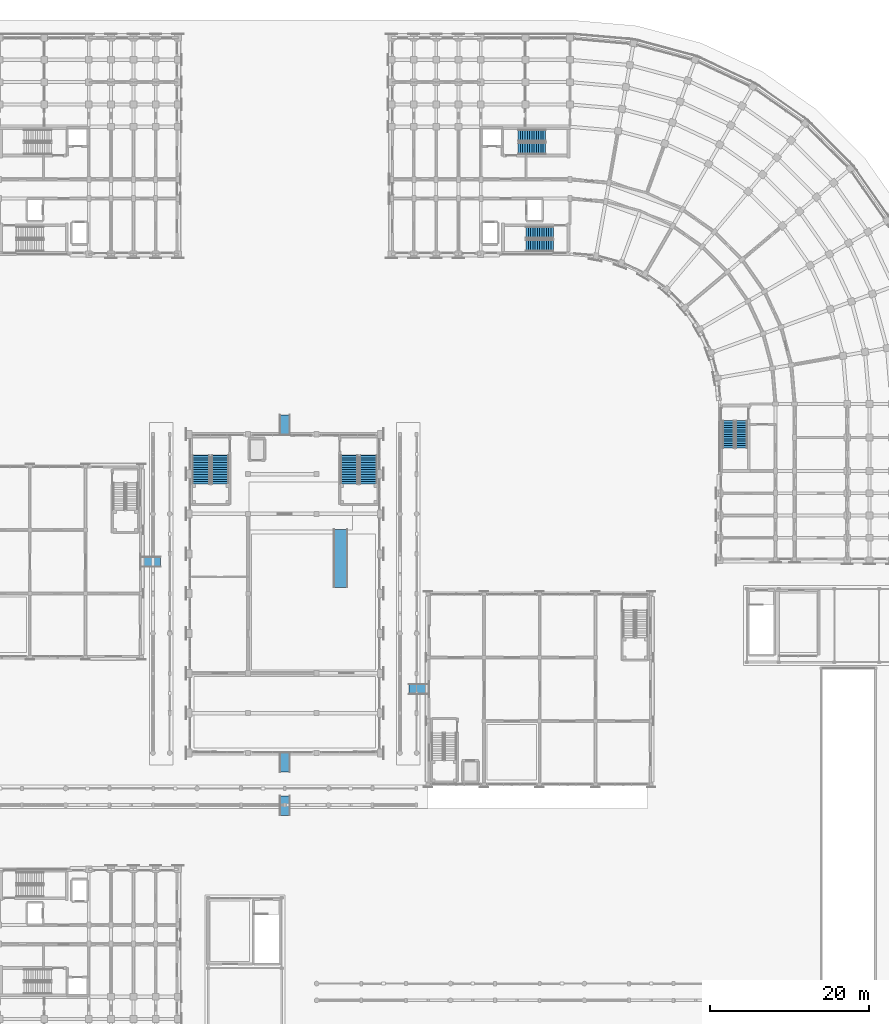
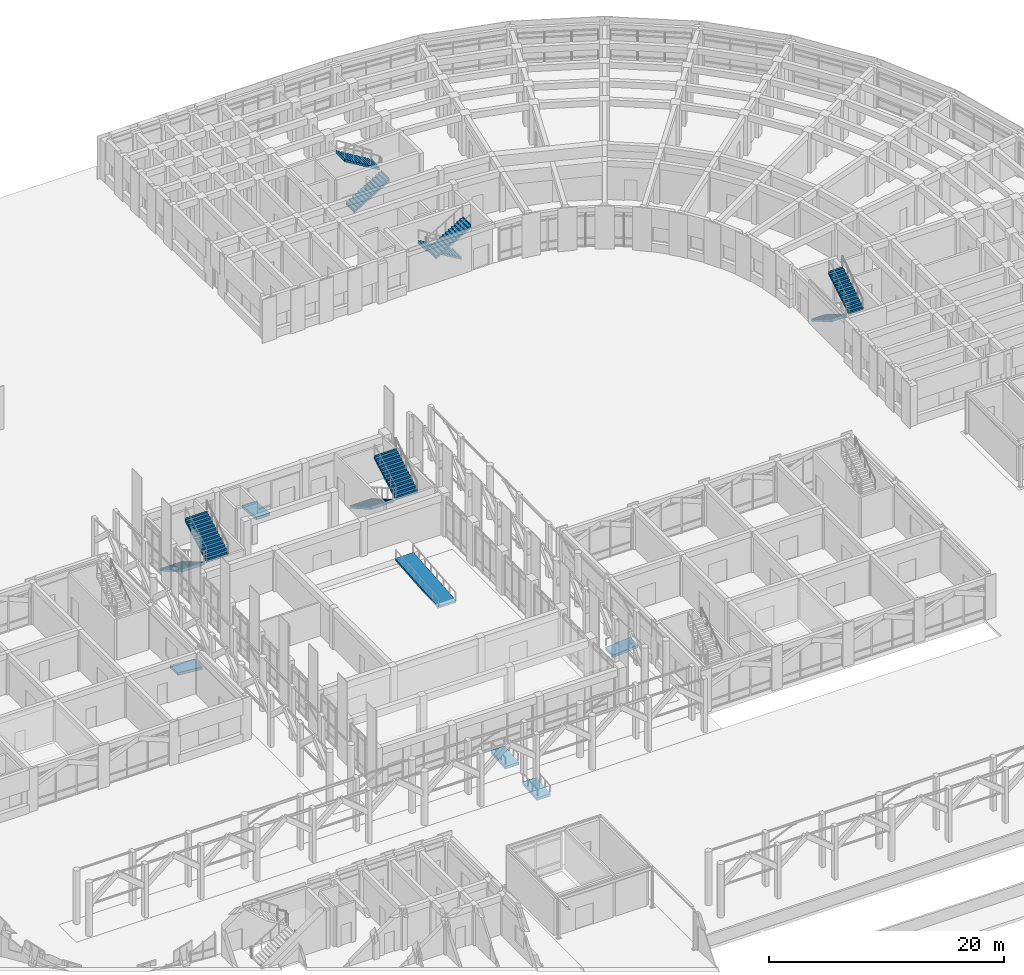
# One storey, part 113 of 135: 10 stair flights, 6 ramp flights, 11 elements without a shape of their own.
"""IFC4 building model written with IfcOpenShell, lengths in metres."""

from ifc_helpers import new_model, si_unit, direction, frame, origin, place, context, subcontext, project, spatial, polyline, outline, extrude, material, layer, layer_set, type_object, element, aggregate, save


model = new_model("IFC4")

# Units and contexts
model_context = context("Model", 3, precision=1e-05, world=origin(), true_north=direction((0.0, 1.0)))
body_context = subcontext(model_context, "Body", "Model", "MODEL_VIEW")
ifc_project = project(units=[si_unit("LENGTHUNIT", "METRE"), si_unit("AREAUNIT", "SQUARE_METRE"), si_unit("VOLUMEUNIT", "CUBIC_METRE"), si_unit("PLANEANGLEUNIT", "RADIAN"), si_unit("MASSUNIT", "GRAM", prefix="KILO")], contexts=[model_context])

# Site, building, storey
site_placement = place(None, origin())
site = spatial("IfcSite", under=ifc_project, at=site_placement, CompositionType="ELEMENT")
building_placement = place(site_placement, origin())
building = spatial("IfcBuilding", under=site, at=building_placement, Name="Kiranvali Square Residences", CompositionType="ELEMENT")
storey_placement = place(building_placement, origin())
storey = spatial("IfcBuildingStorey", under=building, at=storey_placement, Name="L00", CompositionType="ELEMENT", Elevation=0.0)

# Stair, stair flights
ifc_material = material(Name="Concrete M35 (35 MPa)", Category="concrete")
stair_type_1 = type_object("IfcStairType", Name="ST-CORE-1700", PredefinedType="HALF_TURN_STAIR", material=ifc_material)
stair_1_placement = place(storey_placement, origin())
stair_1 = element("IfcStair", 1, at=stair_1_placement, inside=storey, type_object=stair_type_1, Name="L00 Block B Firefighting Exit Stair 1", PredefinedType="HALF_TURN_STAIR")
stair_flight_type_1 = type_object("IfcStairFlightType", Name="STF-1700", PredefinedType="STRAIGHT", material=ifc_material)
stair_flight_1_placement = place(storey_placement, frame((113.300048828125, 119.875, 0.0), z_axis=(0.0, 0.0, 1.0), x_axis=(1.0, 0.0, 0.0)))
stair_flight_1 = element("IfcStairFlight", 2, at=stair_flight_1_placement, type_object=stair_flight_type_1, Name="ST-B1 flight 1", NumberOfRisers=13, NumberOfTreads=12, PredefinedType="STRAIGHT", RiserHeight=0.173076923, TreadLength=0.285, context=body_context, shape_type="SweptSolid", body=[
    extrude(outline(polyline([(-0.02001953125, -0.14990234375), (-0.02001953125, 0.0), (0.0, 0.0), (0.0, 0.173095703125), (0.284912109375, 0.173095703125), (0.284912109375, 0.34619140625), (0.570068359375, 0.34619140625), (0.570068359375, 0.519287109375), (0.85498046875, 0.519287109375), (0.85498046875, 0.6923828125), (1.139892578125, 0.6923828125), (1.139892578125, 0.865478515625), (1.425048828125, 0.865478515625), (1.425048828125, 1.03857421875), (1.7099609375, 1.03857421875), (1.7099609375, 1.21142578125), (1.9951171875, 1.21142578125), (1.9951171875, 1.384521484375), (2.280029296875, 1.384521484375), (2.280029296875, 1.5576171875), (2.56494140625, 1.5576171875), (2.56494140625, 1.730712890625), (2.85009765625, 1.730712890625), (2.85009765625, 1.90380859375), (3.135009765625, 1.90380859375), (3.135009765625, 2.076904296875), (3.419921875, 2.076904296875), (3.419921875, 2.25), (3.43994140625, 2.25), (3.43994140625, 1.901611328125), (3.419921875, 1.901611328125), (0.0, -0.14990234375), (-0.02001953125, -0.14990234375)])), frame((0.0, 0.72509765625, 0.0), z_axis=(0.0, -1.0, 0.0), x_axis=(1.0, 0.0, 0.0)), (0.0, 0.0, 1.0), 1.449951171875),
])
stair_flight_2_placement = place(storey_placement, frame((116.719970703125, 121.52490234375, 2.25), z_axis=(0.0, 0.0, 1.0), x_axis=(-1.0, 0.0, 0.0)))
stair_flight_2 = element("IfcStairFlight", 3, at=stair_flight_2_placement, type_object=stair_flight_type_1, Name="ST-B1 flight 2", NumberOfRisers=13, NumberOfTreads=12, PredefinedType="STRAIGHT", RiserHeight=0.173076923, TreadLength=0.285, context=body_context, shape_type="SweptSolid", body=[
    extrude(outline(polyline([(-0.02001953125, -0.14990234375), (-0.02001953125, 0.0), (0.0, 0.0), (0.0, 0.173095703125), (0.284912109375, 0.173095703125), (0.284912109375, 0.34619140625), (0.570068359375, 0.34619140625), (0.570068359375, 0.519287109375), (0.85498046875, 0.519287109375), (0.85498046875, 0.6923828125), (1.139892578125, 0.6923828125), (1.139892578125, 0.865478515625), (1.425048828125, 0.865478515625), (1.425048828125, 1.03857421875), (1.7099609375, 1.03857421875), (1.7099609375, 1.21142578125), (1.9951171875, 1.21142578125), (1.9951171875, 1.384521484375), (2.280029296875, 1.384521484375), (2.280029296875, 1.5576171875), (2.56494140625, 1.5576171875), (2.56494140625, 1.730712890625), (2.85009765625, 1.730712890625), (2.85009765625, 1.90380859375), (3.135009765625, 1.90380859375), (3.135009765625, 2.076904296875), (3.419921875, 2.076904296875), (3.419921875, 2.25), (3.43994140625, 2.25), (3.43994140625, 1.901611328125), (3.419921875, 1.901611328125), (0.0, -0.14990234375), (-0.02001953125, -0.14990234375)])), frame((0.0, 0.72509765625, 0.0), z_axis=(0.0, -1.0, 0.0), x_axis=(1.0, 0.0, 0.0)), (0.0, 0.0, 1.0), 1.449951171875),
])
aggregate(stair_1, [stair_flight_1, stair_flight_2])

stair_2_placement = place(storey_placement, origin())
stair_2 = element("IfcStair", 4, at=stair_2_placement, inside=storey, type_object=stair_type_1, Name="L00 Block B Protected Exit Stair 2", PredefinedType="HALF_TURN_STAIR")
stair_flight_3_placement = place(storey_placement, frame((117.699951171875, 109.324951171875, 0.0), z_axis=(0.0, 0.0, 1.0), x_axis=(-1.0, 0.0, 0.0)))
stair_flight_3 = element("IfcStairFlight", 5, at=stair_flight_3_placement, type_object=stair_flight_type_1, Name="ST-B2 flight 1", NumberOfRisers=13, NumberOfTreads=12, PredefinedType="STRAIGHT", RiserHeight=0.173076923, TreadLength=0.285, context=body_context, shape_type="SweptSolid", body=[
    extrude(outline(polyline([(-0.02001953125, -0.14990234375), (-0.02001953125, 0.0), (0.0, 0.0), (0.0, 0.173095703125), (0.284912109375, 0.173095703125), (0.284912109375, 0.34619140625), (0.570068359375, 0.34619140625), (0.570068359375, 0.519287109375), (0.85498046875, 0.519287109375), (0.85498046875, 0.6923828125), (1.139892578125, 0.6923828125), (1.139892578125, 0.865478515625), (1.425048828125, 0.865478515625), (1.425048828125, 1.03857421875), (1.7099609375, 1.03857421875), (1.7099609375, 1.21142578125), (1.9951171875, 1.21142578125), (1.9951171875, 1.384521484375), (2.280029296875, 1.384521484375), (2.280029296875, 1.5576171875), (2.56494140625, 1.5576171875), (2.56494140625, 1.730712890625), (2.85009765625, 1.730712890625), (2.85009765625, 1.90380859375), (3.135009765625, 1.90380859375), (3.135009765625, 2.076904296875), (3.419921875, 2.076904296875), (3.419921875, 2.25), (3.43994140625, 2.25), (3.43994140625, 1.901611328125), (3.419921875, 1.901611328125), (0.0, -0.14990234375), (-0.02001953125, -0.14990234375)])), frame((0.0, 0.72509765625, 0.0), z_axis=(0.0, -1.0, 0.0), x_axis=(1.0, 0.0, 0.0)), (0.0, 0.0, 1.0), 1.449951171875),
])
stair_flight_4_placement = place(storey_placement, frame((114.280029296875, 107.675048828125, 2.25), z_axis=(0.0, 0.0, 1.0), x_axis=(1.0, 0.0, 0.0)))
stair_flight_4 = element("IfcStairFlight", 6, at=stair_flight_4_placement, type_object=stair_flight_type_1, Name="ST-B2 flight 2", NumberOfRisers=13, NumberOfTreads=12, PredefinedType="STRAIGHT", RiserHeight=0.173076923, TreadLength=0.285, context=body_context, shape_type="SweptSolid", body=[
    extrude(outline(polyline([(-0.02001953125, -0.14990234375), (-0.02001953125, 0.0), (0.0, 0.0), (0.0, 0.173095703125), (0.284912109375, 0.173095703125), (0.284912109375, 0.34619140625), (0.570068359375, 0.34619140625), (0.570068359375, 0.519287109375), (0.85498046875, 0.519287109375), (0.85498046875, 0.6923828125), (1.139892578125, 0.6923828125), (1.139892578125, 0.865478515625), (1.425048828125, 0.865478515625), (1.425048828125, 1.03857421875), (1.7099609375, 1.03857421875), (1.7099609375, 1.21142578125), (1.9951171875, 1.21142578125), (1.9951171875, 1.384521484375), (2.280029296875, 1.384521484375), (2.280029296875, 1.5576171875), (2.56494140625, 1.5576171875), (2.56494140625, 1.730712890625), (2.85009765625, 1.730712890625), (2.85009765625, 1.90380859375), (3.135009765625, 1.90380859375), (3.135009765625, 2.076904296875), (3.419921875, 2.076904296875), (3.419921875, 2.25), (3.43994140625, 2.25), (3.43994140625, 1.901611328125), (3.419921875, 1.901611328125), (0.0, -0.14990234375), (-0.02001953125, -0.14990234375)])), frame((0.0, 0.72509765625, 0.0), z_axis=(0.0, -1.0, 0.0), x_axis=(1.0, 0.0, 0.0)), (0.0, 0.0, 1.0), 1.449951171875),
])
aggregate(stair_2, [stair_flight_3, stair_flight_4])

stair_3_placement = place(storey_placement, origin())
stair_3 = element("IfcStair", 7, at=stair_3_placement, inside=storey, type_object=stair_type_1, Name="L00 Block B Wing Protected Exit Stair 3", PredefinedType="HALF_TURN_STAIR")
stair_flight_5_placement = place(storey_placement, frame((139.675048828125, 85.699951171875, 0.0), z_axis=(0.0, 0.0, 1.0), x_axis=(0.0, -1.0, 0.0)))
stair_flight_5 = element("IfcStairFlight", 8, at=stair_flight_5_placement, type_object=stair_flight_type_1, Name="ST-B3 flight 1", NumberOfRisers=13, NumberOfTreads=12, PredefinedType="STRAIGHT", RiserHeight=0.173076923, TreadLength=0.285, context=body_context, shape_type="SweptSolid", body=[
    extrude(outline(polyline([(-0.02001953125, -0.14990234375), (-0.02001953125, 0.0), (0.0, 0.0), (0.0, 0.173095703125), (0.284912109375, 0.173095703125), (0.284912109375, 0.34619140625), (0.570068359375, 0.34619140625), (0.570068359375, 0.519287109375), (0.85498046875, 0.519287109375), (0.85498046875, 0.6923828125), (1.139892578125, 0.6923828125), (1.139892578125, 0.865478515625), (1.425048828125, 0.865478515625), (1.425048828125, 1.03857421875), (1.7099609375, 1.03857421875), (1.7099609375, 1.21142578125), (1.9951171875, 1.21142578125), (1.9951171875, 1.384521484375), (2.280029296875, 1.384521484375), (2.280029296875, 1.5576171875), (2.56494140625, 1.5576171875), (2.56494140625, 1.730712890625), (2.85009765625, 1.730712890625), (2.85009765625, 1.90380859375), (3.135009765625, 1.90380859375), (3.135009765625, 2.076904296875), (3.419921875, 2.076904296875), (3.419921875, 2.25), (3.43994140625, 2.25), (3.43994140625, 1.901611328125), (3.419921875, 1.901611328125), (0.0, -0.14990234375), (-0.02001953125, -0.14990234375)])), frame((0.0, 0.72509765625, 0.0), z_axis=(0.0, -1.0, 0.0), x_axis=(1.0, 0.0, 0.0)), (0.0, 0.0, 1.0), 1.449951171875),
])
stair_flight_6_placement = place(storey_placement, frame((141.324951171875, 82.280029296875, 2.25), z_axis=(0.0, 0.0, 1.0), x_axis=(0.0, 1.0, 0.0)))
stair_flight_6 = element("IfcStairFlight", 9, at=stair_flight_6_placement, type_object=stair_flight_type_1, Name="ST-B3 flight 2", NumberOfRisers=13, NumberOfTreads=12, PredefinedType="STRAIGHT", RiserHeight=0.173076923, TreadLength=0.285, context=body_context, shape_type="SweptSolid", body=[
    extrude(outline(polyline([(-0.02001953125, -0.14990234375), (-0.02001953125, 0.0), (0.0, 0.0), (0.0, 0.173095703125), (0.284912109375, 0.173095703125), (0.284912109375, 0.34619140625), (0.570068359375, 0.34619140625), (0.570068359375, 0.519287109375), (0.85498046875, 0.519287109375), (0.85498046875, 0.6923828125), (1.139892578125, 0.6923828125), (1.139892578125, 0.865478515625), (1.425048828125, 0.865478515625), (1.425048828125, 1.03857421875), (1.7099609375, 1.03857421875), (1.7099609375, 1.21142578125), (1.9951171875, 1.21142578125), (1.9951171875, 1.384521484375), (2.280029296875, 1.384521484375), (2.280029296875, 1.5576171875), (2.56494140625, 1.5576171875), (2.56494140625, 1.730712890625), (2.85009765625, 1.730712890625), (2.85009765625, 1.90380859375), (3.135009765625, 1.90380859375), (3.135009765625, 2.076904296875), (3.419921875, 2.076904296875), (3.419921875, 2.25), (3.43994140625, 2.25), (3.43994140625, 1.901611328125), (3.419921875, 1.901611328125), (0.0, -0.14990234375), (-0.02001953125, -0.14990234375)])), frame((0.0, 0.72509765625, 0.0), z_axis=(0.0, -1.0, 0.0), x_axis=(1.0, 0.0, 0.0)), (0.0, 0.0, 1.0), 1.449951171875),
])
aggregate(stair_3, [stair_flight_5, stair_flight_6])

stair_type_2 = type_object("IfcStairType", Name="ST-ASM-2200", PredefinedType="HALF_TURN_STAIR", material=ifc_material)
stair_4_placement = place(storey_placement, origin())
stair_4 = element("IfcStair", 10, at=stair_4_placement, inside=storey, type_object=stair_type_2, Name="L00 Community Hall Assembly Stair 1", PredefinedType="HALF_TURN_STAIR")
stair_flight_type_2 = type_object("IfcStairFlightType", Name="STF-2200", PredefinedType="STRAIGHT", material=ifc_material)
stair_flight_7_placement = place(storey_placement, frame((73.5, 81.35009765625, 0.0), z_axis=(0.0, 0.0, 1.0), x_axis=(0.0, -1.0, 0.0)))
stair_flight_7 = element("IfcStairFlight", 11, at=stair_flight_7_placement, type_object=stair_flight_type_2, Name="ST-CH1 flight 1", NumberOfRisers=13, NumberOfTreads=12, PredefinedType="STRAIGHT", RiserHeight=0.173076923, TreadLength=0.3, context=body_context, shape_type="SweptSolid", body=[
    extrude(outline(polyline([(-0.02001953125, -0.14990234375), (-0.02001953125, 0.0), (0.0, 0.0), (0.0, 0.173095703125), (0.300048828125, 0.173095703125), (0.300048828125, 0.34619140625), (0.60009765625, 0.34619140625), (0.60009765625, 0.519287109375), (0.89990234375, 0.519287109375), (0.89990234375, 0.6923828125), (1.199951171875, 0.6923828125), (1.199951171875, 0.865478515625), (1.5, 0.865478515625), (1.5, 1.03857421875), (1.800048828125, 1.03857421875), (1.800048828125, 1.21142578125), (2.10009765625, 1.21142578125), (2.10009765625, 1.384521484375), (2.39990234375, 1.384521484375), (2.39990234375, 1.5576171875), (2.699951171875, 1.5576171875), (2.699951171875, 1.730712890625), (3.0, 1.730712890625), (3.0, 1.90380859375), (3.300048828125, 1.90380859375), (3.300048828125, 2.076904296875), (3.60009765625, 2.076904296875), (3.60009765625, 2.25), (3.6201171875, 2.25), (3.6201171875, 1.90380859375), (3.60009765625, 1.90380859375), (0.0, -0.14990234375), (-0.02001953125, -0.14990234375)])), frame((0.0, 1.10009765625, 0.0), z_axis=(0.0, -1.0, 0.0), x_axis=(1.0, 0.0, 0.0)), (0.0, 0.0, 1.0), 2.199951171875),
])
stair_flight_8_placement = place(storey_placement, frame((75.89990234375, 77.75, 2.25), z_axis=(0.0, 0.0, 1.0), x_axis=(0.0, 1.0, 0.0)))
stair_flight_8 = element("IfcStairFlight", 12, at=stair_flight_8_placement, type_object=stair_flight_type_2, Name="ST-CH1 flight 2", NumberOfRisers=13, NumberOfTreads=12, PredefinedType="STRAIGHT", RiserHeight=0.173076923, TreadLength=0.3, context=body_context, shape_type="SweptSolid", body=[
    extrude(outline(polyline([(-0.02001953125, -0.14990234375), (-0.02001953125, 0.0), (0.0, 0.0), (0.0, 0.173095703125), (0.300048828125, 0.173095703125), (0.300048828125, 0.34619140625), (0.60009765625, 0.34619140625), (0.60009765625, 0.519287109375), (0.89990234375, 0.519287109375), (0.89990234375, 0.6923828125), (1.199951171875, 0.6923828125), (1.199951171875, 0.865478515625), (1.5, 0.865478515625), (1.5, 1.03857421875), (1.800048828125, 1.03857421875), (1.800048828125, 1.21142578125), (2.10009765625, 1.21142578125), (2.10009765625, 1.384521484375), (2.39990234375, 1.384521484375), (2.39990234375, 1.5576171875), (2.699951171875, 1.5576171875), (2.699951171875, 1.730712890625), (3.0, 1.730712890625), (3.0, 1.90380859375), (3.300048828125, 1.90380859375), (3.300048828125, 2.076904296875), (3.60009765625, 2.076904296875), (3.60009765625, 2.25), (3.6201171875, 2.25), (3.6201171875, 1.90380859375), (3.60009765625, 1.90380859375), (0.0, -0.14990234375), (-0.02001953125, -0.14990234375)])), frame((0.0, 1.10009765625, 0.0), z_axis=(0.0, -1.0, 0.0), x_axis=(1.0, 0.0, 0.0)), (0.0, 0.0, 1.0), 2.199951171875),
])
aggregate(stair_4, [stair_flight_7, stair_flight_8])

stair_5_placement = place(storey_placement, origin())
stair_5 = element("IfcStair", 13, at=stair_5_placement, inside=storey, type_object=stair_type_2, Name="L00 Community Hall Assembly Stair 2", PredefinedType="HALF_TURN_STAIR")
stair_flight_9_placement = place(storey_placement, frame((92.10009765625, 81.35009765625, 0.0), z_axis=(0.0, 0.0, 1.0), x_axis=(0.0, -1.0, 0.0)))
stair_flight_9 = element("IfcStairFlight", 14, at=stair_flight_9_placement, type_object=stair_flight_type_2, Name="ST-CH2 flight 1", NumberOfRisers=13, NumberOfTreads=12, PredefinedType="STRAIGHT", RiserHeight=0.173076923, TreadLength=0.3, context=body_context, shape_type="SweptSolid", body=[
    extrude(outline(polyline([(-0.02001953125, -0.14990234375), (-0.02001953125, 0.0), (0.0, 0.0), (0.0, 0.173095703125), (0.300048828125, 0.173095703125), (0.300048828125, 0.34619140625), (0.60009765625, 0.34619140625), (0.60009765625, 0.519287109375), (0.89990234375, 0.519287109375), (0.89990234375, 0.6923828125), (1.199951171875, 0.6923828125), (1.199951171875, 0.865478515625), (1.5, 0.865478515625), (1.5, 1.03857421875), (1.800048828125, 1.03857421875), (1.800048828125, 1.21142578125), (2.10009765625, 1.21142578125), (2.10009765625, 1.384521484375), (2.39990234375, 1.384521484375), (2.39990234375, 1.5576171875), (2.699951171875, 1.5576171875), (2.699951171875, 1.730712890625), (3.0, 1.730712890625), (3.0, 1.90380859375), (3.300048828125, 1.90380859375), (3.300048828125, 2.076904296875), (3.60009765625, 2.076904296875), (3.60009765625, 2.25), (3.6201171875, 2.25), (3.6201171875, 1.90380859375), (3.60009765625, 1.90380859375), (0.0, -0.14990234375), (-0.02001953125, -0.14990234375)])), frame((0.0, 1.10009765625, 0.0), z_axis=(0.0, -1.0, 0.0), x_axis=(1.0, 0.0, 0.0)), (0.0, 0.0, 1.0), 2.199951171875),
])
stair_flight_10_placement = place(storey_placement, frame((94.5, 77.75, 2.25), z_axis=(0.0, 0.0, 1.0), x_axis=(0.0, 1.0, 0.0)))
stair_flight_10 = element("IfcStairFlight", 15, at=stair_flight_10_placement, type_object=stair_flight_type_2, Name="ST-CH2 flight 2", NumberOfRisers=13, NumberOfTreads=12, PredefinedType="STRAIGHT", RiserHeight=0.173076923, TreadLength=0.3, context=body_context, shape_type="SweptSolid", body=[
    extrude(outline(polyline([(-0.02001953125, -0.14990234375), (-0.02001953125, 0.0), (0.0, 0.0), (0.0, 0.173095703125), (0.300048828125, 0.173095703125), (0.300048828125, 0.34619140625), (0.60009765625, 0.34619140625), (0.60009765625, 0.519287109375), (0.89990234375, 0.519287109375), (0.89990234375, 0.6923828125), (1.199951171875, 0.6923828125), (1.199951171875, 0.865478515625), (1.5, 0.865478515625), (1.5, 1.03857421875), (1.800048828125, 1.03857421875), (1.800048828125, 1.21142578125), (2.10009765625, 1.21142578125), (2.10009765625, 1.384521484375), (2.39990234375, 1.384521484375), (2.39990234375, 1.5576171875), (2.699951171875, 1.5576171875), (2.699951171875, 1.730712890625), (3.0, 1.730712890625), (3.0, 1.90380859375), (3.300048828125, 1.90380859375), (3.300048828125, 2.076904296875), (3.60009765625, 2.076904296875), (3.60009765625, 2.25), (3.6201171875, 2.25), (3.6201171875, 1.90380859375), (3.60009765625, 1.90380859375), (0.0, -0.14990234375), (-0.02001953125, -0.14990234375)])), frame((0.0, 1.10009765625, 0.0), z_axis=(0.0, -1.0, 0.0), x_axis=(1.0, 0.0, 0.0)), (0.0, 0.0, 1.0), 2.199951171875),
])
aggregate(stair_5, [stair_flight_9, stair_flight_10])

# Ramp, ramp flight
ramp_type_1 = type_object("IfcRampType", Name="RMP-EXT-1800", PredefinedType="STRAIGHT_RUN_RAMP", material=ifc_material)
ramp_1_placement = place(storey_placement, origin())
ramp_1 = element("IfcRamp", 16, at=ramp_1_placement, inside=storey, type_object=ramp_type_1, Name="South Civic Square Accessible Ramp", PredefinedType="STRAIGHT_RUN_RAMP")
ifc_layer_1 = layer(ifc_material, 0.280029296875)
ifc_layer_set_1 = layer_set([ifc_layer_1], Name="Concrete M35 (35 MPa)")
ramp_flight_type_1 = type_object("IfcRampFlightType", Name="RMPF-EXT-1800", PredefinedType="STRAIGHT", material=ifc_layer_set_1)
ramp_flight_1_placement = place(storey_placement, frame((84.0, 36.199951171875, -0.199951171875), z_axis=(0.0, 0.0, 1.0), x_axis=(0.0, 1.0, 0.0)))
ramp_flight_1 = element("IfcRampFlight", 17, at=ramp_flight_1_placement, type_object=ramp_flight_type_1, Name="South Civic Square Accessible Ramp flight", PredefinedType="STRAIGHT", context=body_context, shape_type="SweptSolid", body=[
    extrude(outline(polyline([(-0.02001953125, 0.0), (0.0, 0.0), (1.2001953125, 0.10009765625), (2.400146484375, 0.199951171875), (2.420166015625, 0.199951171875), (2.420166015625, -0.0810546875), (2.400146484375, -0.0810546875), (1.2001953125, -0.18115234375), (0.0, -0.281005859375), (-0.02001953125, -0.281005859375), (-0.02001953125, 0.0)])), frame((0.0, 0.675048828125, 0.0), z_axis=(0.0, -1.0, 0.0), x_axis=(1.0, 0.0, 0.0)), (0.0, 0.0, 1.0), 1.35009765625),
])
aggregate(ramp_1, [ramp_flight_1])

ramp_2_placement = place(storey_placement, origin())
ramp_2 = element("IfcRamp", 18, at=ramp_2_placement, inside=storey, type_object=ramp_type_1, Name="Nursery Courtyard Accessible Ramp", PredefinedType="STRAIGHT_RUN_RAMP")
ramp_flight_2_placement = place(storey_placement, frame((66.0, 68.0, 0.0), z_axis=(0.0, 0.0, 1.0), x_axis=(1.0, 0.0, 0.0)))
ramp_flight_2 = element("IfcRampFlight", 19, at=ramp_flight_2_placement, type_object=ramp_flight_type_1, Name="Nursery Courtyard Accessible Ramp flight", PredefinedType="STRAIGHT", context=body_context, shape_type="SweptSolid", body=[
    extrude(outline(polyline([(-0.02001953125, 0.0), (0.0, 0.0), (1.199951171875, -0.10009765625), (2.39990234375, -0.199951171875), (2.419921875, -0.199951171875), (2.419921875, -0.48095703125), (2.39990234375, -0.48095703125), (1.199951171875, -0.380859375), (0.0, -0.281005859375), (-0.02001953125, -0.281005859375), (-0.02001953125, 0.0)])), frame((0.0, 0.675048828125, 0.0), z_axis=(0.0, -1.0, 0.0), x_axis=(1.0, 0.0, 0.0)), (0.0, 0.0, 1.0), 1.35009765625),
])
aggregate(ramp_2, [ramp_flight_2])

ramp_3_placement = place(storey_placement, origin())
ramp_3 = element("IfcRamp", 20, at=ramp_3_placement, inside=storey, type_object=ramp_type_1, Name="Retail Courtyard Accessible Ramp", PredefinedType="STRAIGHT_RUN_RAMP")
ramp_flight_3_placement = place(storey_placement, frame((102.0, 52.0, 0.0), z_axis=(0.0, 0.0, 1.0), x_axis=(-1.0, 0.0, 0.0)))
ramp_flight_3 = element("IfcRampFlight", 21, at=ramp_flight_3_placement, type_object=ramp_flight_type_1, Name="Retail Courtyard Accessible Ramp flight", PredefinedType="STRAIGHT", context=body_context, shape_type="SweptSolid", body=[
    extrude(outline(polyline([(-0.02001953125, 0.0), (0.0, 0.0), (1.199951171875, -0.10009765625), (2.39990234375, -0.199951171875), (2.419921875, -0.199951171875), (2.419921875, -0.48095703125), (2.39990234375, -0.48095703125), (1.199951171875, -0.380859375), (0.0, -0.281005859375), (-0.02001953125, -0.281005859375), (-0.02001953125, 0.0)])), frame((0.0, 0.675048828125, 0.0), z_axis=(0.0, -1.0, 0.0), x_axis=(1.0, 0.0, 0.0)), (0.0, 0.0, 1.0), 1.35009765625),
])
aggregate(ramp_3, [ramp_flight_3])

ramp_4_placement = place(storey_placement, origin())
ramp_4 = element("IfcRamp", 22, at=ramp_4_placement, inside=storey, type_object=ramp_type_1, Name="Community Hall Forecourt Accessible Ramp", PredefinedType="STRAIGHT_RUN_RAMP")
ramp_flight_4_placement = place(storey_placement, frame((84.0, 41.60009765625, -0.199951171875), z_axis=(0.0, 0.0, 1.0), x_axis=(0.0, 1.0, 0.0)))
ramp_flight_4 = element("IfcRampFlight", 23, at=ramp_flight_4_placement, type_object=ramp_flight_type_1, Name="Community Hall Forecourt Accessible Ramp flight", PredefinedType="STRAIGHT", context=body_context, shape_type="SweptSolid", body=[
    extrude(outline(polyline([(-0.02001953125, 0.0), (0.0, 0.0), (1.199951171875, 0.10009765625), (2.39990234375, 0.199951171875), (2.419921875, 0.199951171875), (2.419921875, -0.0810546875), (2.39990234375, -0.0810546875), (1.199951171875, -0.18115234375), (0.0, -0.281005859375), (-0.02001953125, -0.281005859375), (-0.02001953125, 0.0)])), frame((0.0, 0.675048828125, 0.0), z_axis=(0.0, -1.0, 0.0), x_axis=(1.0, 0.0, 0.0)), (0.0, 0.0, 1.0), 1.35009765625),
])
aggregate(ramp_4, [ramp_flight_4])

ramp_5_placement = place(storey_placement, origin())
ramp_5 = element("IfcRamp", 24, at=ramp_5_placement, inside=storey, type_object=ramp_type_1, Name="North Shared Garden Accessible Ramp", PredefinedType="STRAIGHT_RUN_RAMP")
ramp_flight_5_placement = place(storey_placement, frame((84.0, 86.39990234375, -0.199951171875), z_axis=(0.0, 0.0, 1.0), x_axis=(0.0, -1.0, 0.0)))
ramp_flight_5 = element("IfcRampFlight", 25, at=ramp_flight_5_placement, type_object=ramp_flight_type_1, Name="North Shared Garden Accessible Ramp flight", PredefinedType="STRAIGHT", context=body_context, shape_type="SweptSolid", body=[
    extrude(outline(polyline([(-0.02001953125, 0.0), (0.0, 0.0), (1.199951171875, 0.10009765625), (2.39990234375, 0.199951171875), (2.419921875, 0.199951171875), (2.419921875, -0.0810546875), (2.39990234375, -0.0810546875), (1.199951171875, -0.18115234375), (0.0, -0.281005859375), (-0.02001953125, -0.281005859375), (-0.02001953125, 0.0)])), frame((0.0, 0.675048828125, 0.0), z_axis=(0.0, -1.0, 0.0), x_axis=(1.0, 0.0, 0.0)), (0.0, 0.0, 1.0), 1.35009765625),
])
aggregate(ramp_5, [ramp_flight_5])

ramp_type_2 = type_object("IfcRampType", Name="RMP-STG-1800", PredefinedType="STRAIGHT_RUN_RAMP", material=ifc_material)
ramp_6_placement = place(storey_placement, origin())
ramp_6 = element("IfcRamp", 26, at=ramp_6_placement, inside=storey, type_object=ramp_type_2, Name="Community Hall Stage Accessible Ramp", PredefinedType="STRAIGHT_RUN_RAMP")
ifc_layer_2 = layer(ifc_material, 0.199951171875)
ifc_layer_set_2 = layer_set([ifc_layer_2], Name="Concrete M35 (35 MPa)")
ramp_flight_type_2 = type_object("IfcRampFlightType", Name="RMPF-STG-1800", PredefinedType="STRAIGHT", material=ifc_layer_set_2)
ramp_flight_6_placement = place(storey_placement, frame((91.0, 64.800048828125, 0.0), z_axis=(0.0, 0.0, 1.0), x_axis=(0.0, 1.0, 0.0)))
ramp_flight_6 = element("IfcRampFlight", 27, at=ramp_flight_6_placement, type_object=ramp_flight_type_2, Name="Community Hall Stage Accessible Ramp flight", PredefinedType="STRAIGHT", context=body_context, shape_type="SweptSolid", body=[
    extrude(outline(polyline([(-0.02001953125, 0.0), (0.0, 0.0), (1.449951171875, 0.1201171875), (2.89990234375, 0.239990234375), (4.35009765625, 0.360107421875), (5.800048828125, 0.47998046875), (7.25, 0.60009765625), (7.27001953125, 0.60009765625), (7.27001953125, 0.3994140625), (7.25, 0.3994140625), (5.800048828125, 0.279296875), (4.35009765625, 0.159423828125), (2.89990234375, 0.039306640625), (1.449951171875, -0.08056640625), (0.0, -0.20068359375), (-0.02001953125, -0.20068359375), (-0.02001953125, 0.0)])), frame((0.0, 0.89990234375, 0.0), z_axis=(0.0, -1.0, 0.0), x_axis=(1.0, 0.0, 0.0)), (0.0, 0.0, 1.0), 1.800048828125),
])
aggregate(ramp_6, [ramp_flight_6])

save(model, "model.ifc")
